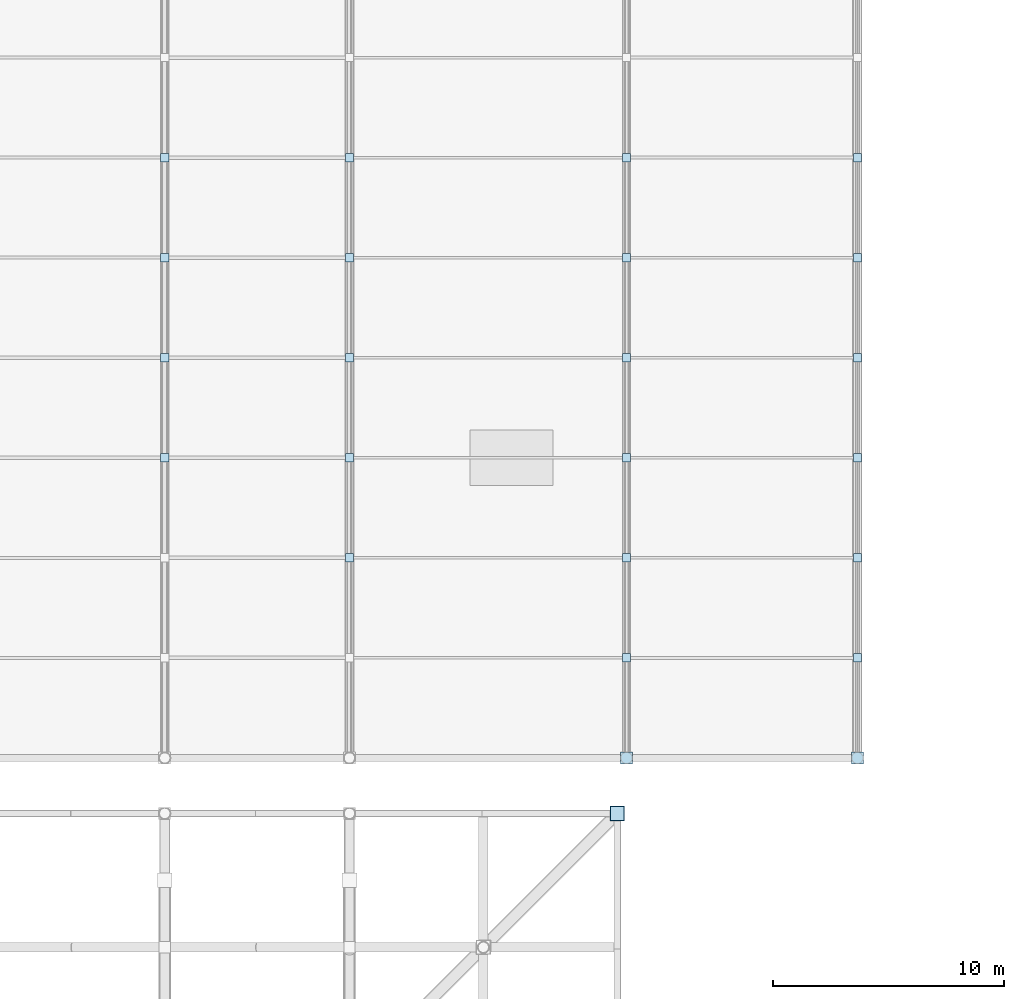
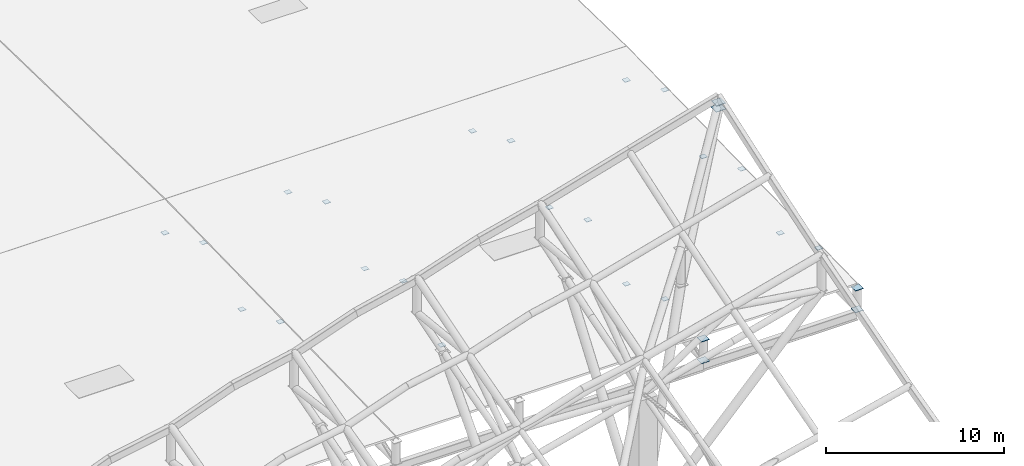
# One storey, part 64 of 75: 27 plates.
"""IFC4 building model written with IfcOpenShell, lengths in metres."""

import ifcopenshell
import ifcopenshell.guid

model = None  # the IFC model being written
_history = None  # IfcOwnerHistory: only IFC2X3 demands one
_inside = {}  # id of a spatial element -> (the spatial element, [elements in it])
_under = {}  # id of a project, library or spatial element -> (it, [spatial elements below it])
_declared = {}  # id of a project -> (the project, [libraries it declares])
_typed = {}  # id of a type object -> (the type object, [elements of that type])
_made_of = {}  # id of a material, layer set ... -> (it, [elements and type objects made of it])


def new_model(schema):
    """Start an empty IFC model of exactly this schema.

    Asked for "IFC4X3", IfcOpenShell would pick the latest addendum, in which some entities
    have other attributes; the version numbers below select the first issue.
    IFC2X3 requires an IfcOwnerHistory on every rooted entity: one is made here for all.
    """
    global model, _history
    if schema == "IFC4X3":
        model = ifcopenshell.file(schema_version=(4, 3, 0, 0))
    else:
        model = ifcopenshell.file(schema=schema)
    _inside.clear()
    _under.clear()
    _declared.clear()
    _typed.clear()
    _made_of.clear()
    _history = None
    if model.schema == "IFC2X3":
        org = make("IfcOrganization", Name="unknown")
        user = make(
            "IfcPersonAndOrganization",
            ThePerson=make("IfcPerson", FamilyName="unknown"),
            TheOrganization=org,
        )
        app = make(
            "IfcApplication",
            ApplicationDeveloper=org,
            Version="unknown",
            ApplicationFullName="unknown",
            ApplicationIdentifier="unknown",
        )
        _history = make(
            "IfcOwnerHistory",
            OwningUser=user,
            OwningApplication=app,
            ChangeAction="ADDED",
            CreationDate=0,
        )
    return model


def make(cls, **values):
    """One entity of the class cls with the attributes given. An attribute that is None is left unset."""
    return model.create_entity(
        cls, **{name: value for name, value in values.items() if value is not None}
    )


def rooted(cls, **values):
    """An entity with a GlobalId (a new one), such as an element, a storey or a relation."""
    return make(cls, GlobalId=ifcopenshell.guid.new(), OwnerHistory=_history, **values)


def si_unit(unit_type, name, prefix=None):
    """IfcSIUnit, for example si_unit("LENGTHUNIT", "METRE", prefix="MILLI")."""
    return make("IfcSIUnit", UnitType=unit_type, Prefix=prefix, Name=name)


def assignment(units):
    """IfcUnitAssignment: the units of a project."""
    return None if units is None else make("IfcUnitAssignment", Units=units)


def point(xyz):
    """IfcCartesianPoint."""
    return None if xyz is None else make("IfcCartesianPoint", Coordinates=xyz)


def direction(xyz):
    """IfcDirection."""
    return None if xyz is None else make("IfcDirection", DirectionRatios=xyz)


def frame(location, z_axis=None, x_axis=None):
    """IfcAxis2Placement3D, a coordinate frame: its origin and axes. An axis left out is left unset."""
    return make(
        "IfcAxis2Placement3D",
        Location=point(location),
        Axis=direction(z_axis),
        RefDirection=direction(x_axis),
    )


def frame_2d(location, x_axis=None):
    """IfcAxis2Placement2D, a coordinate frame in the plane: its origin and x axis."""
    return make(
        "IfcAxis2Placement2D", Location=point(location), RefDirection=direction(x_axis)
    )


def origin():
    """The frame at (0, 0, 0) with its axes left unset."""
    return frame((0.0, 0.0, 0.0))


def origin_2d():
    """The frame at (0, 0) in the plane with its x axis left unset."""
    return frame_2d((0.0, 0.0))


def place(relative_to, where):
    """IfcLocalPlacement: puts the frame where relative to a parent placement (None: the world)."""
    return make(
        "IfcLocalPlacement", PlacementRelTo=relative_to, RelativePlacement=where
    )


def context(
    kind, dimensions, precision=None, world=None, true_north=None, identifier=None
):
    """IfcGeometricRepresentationContext, for example the 3D "Model" context."""
    return make(
        "IfcGeometricRepresentationContext",
        ContextIdentifier=identifier,
        ContextType=kind,
        CoordinateSpaceDimension=dimensions,
        Precision=precision,
        WorldCoordinateSystem=world,
        TrueNorth=true_north,
    )


def subcontext(parent, identifier, kind, view, scale=None):
    """IfcGeometricRepresentationSubContext, for example "Body" below "Model"."""
    return make(
        "IfcGeometricRepresentationSubContext",
        ContextIdentifier=identifier,
        ContextType=kind,
        ParentContext=parent,
        TargetScale=scale,
        TargetView=view,
    )


def project(units=None, contexts=None):
    """IfcProject with its units and contexts."""
    return rooted(
        "IfcProject",
        Name="project",
        RepresentationContexts=contexts,
        UnitsInContext=assignment(units),
    )


def spatial(cls, under=None, at=None, **own):
    """A site, building, storey or space (cls), placed at a placement, below another one or the project."""
    s = rooted(cls, ObjectPlacement=at, **own)
    if under is not None:
        _under.setdefault(under.id(), (under, []))[1].append(s)
    return s


def profile(cls, at=None, kind="AREA", **sizes):
    """A parametric profile (cls). Its sizes go by their IFC names, for example OverallWidth=200.0."""
    return make(cls, ProfileType=kind, Position=at, **sizes)


def rectangle(**sizes):
    """IfcRectangleProfileDef."""
    return profile("IfcRectangleProfileDef", **sizes)


def extrude(swept, where, along, depth):
    """IfcExtrudedAreaSolid: the profile swept, set in the frame where, extruded along a direction by depth."""
    return make(
        "IfcExtrudedAreaSolid",
        SweptArea=swept,
        Position=where,
        ExtrudedDirection=direction(along),
        Depth=depth,
    )


def shape(context_of_items, identifier, shape_type, items):
    """IfcShapeRepresentation: the items that make up one representation, for example the "Body"."""
    return make(
        "IfcShapeRepresentation",
        ContextOfItems=context_of_items,
        RepresentationIdentifier=identifier,
        RepresentationType=shape_type,
        Items=items,
    )


def material(Name=None, Category=None):
    """IfcMaterial."""
    return make("IfcMaterial", Name=Name, Category=Category)


def layer(
    of_material, thickness, ventilated=None, Name=None, Category=None, Priority=None
):
    """IfcMaterialLayer: one layer of a wall or slab, of a material (None: an air gap)."""
    return make(
        "IfcMaterialLayer",
        Material=of_material,
        LayerThickness=thickness,
        IsVentilated=ventilated,
        Name=Name,
        Category=Category,
        Priority=Priority,
    )


def layer_set(layers, Name=None):
    """IfcMaterialLayerSet."""
    return make("IfcMaterialLayerSet", MaterialLayers=layers, LayerSetName=Name)


def made_of(thing, what):
    """Note that an element or type object is made of a material, layer set ...; save() writes the relation."""
    if what is not None:
        _made_of.setdefault(what.id(), (what, []))[1].append(thing)
    return thing


def type_object(cls, material=None, **own):
    """A type object (cls), such as IfcWallType, which elements share."""
    return made_of(rooted(cls, **own), material)


def element(
    cls,
    number,
    at=None,
    inside=None,
    cuts=None,
    type_object=None,
    material=None,
    context=None,
    identifier="Body",
    shape_type=None,
    held_by="IfcProductDefinitionShape",
    body=None,
    shapes=None,
    **own,
):
    """One element of the class cls, such as IfcWall. Its Tag is "e" and its number.

    at: its placement. inside: the storey or other place that contains it. cuts: it is an
    opening in that element (IfcRelVoidsElement). A single representation is given by context,
    identifier, shape_type and body (its items); several are given by shapes. held_by: the class
    of the entity that holds the representations. save() writes the other relations.
    """
    e = rooted(cls, Tag="e%d" % number, ObjectPlacement=at, **own)
    if body is not None:
        shapes = [shape(context, identifier, shape_type, body)]
    if shapes is not None:
        e.Representation = make(held_by, Representations=shapes)
    if inside is not None:
        _inside.setdefault(inside.id(), (inside, []))[1].append(e)
    if cuts is not None:
        rooted(
            "IfcRelVoidsElement", RelatingBuildingElement=cuts, RelatedOpeningElement=e
        )
    if type_object is not None:
        _typed.setdefault(type_object.id(), (type_object, []))[1].append(e)
    return made_of(e, material)


def aggregate(whole, parts):
    """IfcRelAggregates: a whole, such as a stair, and the parts it consists of."""
    return rooted("IfcRelAggregates", RelatingObject=whole, RelatedObjects=parts)


def save(model, path):
    """Write the relations noted so far, then the file.

    IfcRelAggregates (storeys below a building ...), IfcRelContainedInSpatialStructure (elements
    in a storey), IfcRelDefinesByType, IfcRelAssociatesMaterial and IfcRelDeclares: one each for
    every whole, place, type object, material and project.
    """
    for whole, parts in _under.values():
        aggregate(whole, parts)
    for where, things in _inside.values():
        rooted(
            "IfcRelContainedInSpatialStructure",
            RelatedElements=things,
            RelatingStructure=where,
        )
    for kind, things in _typed.values():
        rooted("IfcRelDefinesByType", RelatedObjects=things, RelatingType=kind)
    for what, things in _made_of.values():
        rooted("IfcRelAssociatesMaterial", RelatedObjects=things, RelatingMaterial=what)
    for by, libraries in _declared.values():
        rooted("IfcRelDeclares", RelatingContext=by, RelatedDefinitions=libraries)
    model.write(path)


model = new_model("IFC4")

# Units and contexts
model_context = context("Model", 3, precision=1e-05, world=origin(), true_north=direction((0.0, 1.0)))
body_context = subcontext(model_context, "Body", "Model", "MODEL_VIEW")
ifc_project = project(units=[si_unit("LENGTHUNIT", "METRE"), si_unit("AREAUNIT", "SQUARE_METRE"), si_unit("VOLUMEUNIT", "CUBIC_METRE"), si_unit("PLANEANGLEUNIT", "RADIAN"), si_unit("MASSUNIT", "GRAM", prefix="KILO")], contexts=[model_context])

# Site, building, storey
site_placement = place(None, origin())
site = spatial("IfcSite", under=ifc_project, at=site_placement, CompositionType="ELEMENT")
building_placement = place(site_placement, origin())
building = spatial("IfcBuilding", under=site, at=building_placement, Name="Khorjan Park Terminus", CompositionType="ELEMENT")
storey_placement = place(building_placement, frame((0.0, 0.0, 16.2)))
storey = spatial("IfcBuildingStorey", under=building, at=storey_placement, Name="L03", CompositionType="ELEMENT", Elevation=16.2)

# Plates
ifc_material = material(Name="Steel S355", Category="steel")
ifc_layer_1 = layer(ifc_material, 0.022)
ifc_layer_set_1 = layer_set([ifc_layer_1], Name="Steel S355")
plate_type_1 = type_object("IfcPlateType", Name="PT-GUS-22", PredefinedType="SHEET", material=ifc_layer_set_1)
for number, where, z_axis, x_axis, name in (
    (1, (128.0, 115.0, -0.836), (0.0, 0.0, 1.0), (1.0, 0.0, 0.0), "Steel truss node cap plate NP-22 (RC2-GUS-END-0168)"),
    (2, (128.0, 119.3333, -2.611), (0.0, 0.0, 1.0), (1.0, 0.0, 0.0), "Steel truss node cap plate NP-22 (RC2-GUS-END-0169)"),
    (3, (128.0, 123.6667, -0.6527), (0.0, 0.0, 1.0), (1.0, 0.0, 0.0), "Steel truss node cap plate NP-22 (RC2-GUS-END-0170)"),
    (4, (128.0, 128.0, -2.611), (0.0, 0.0, 1.0), (1.0, 0.0, 0.0), "Steel truss node cap plate NP-22 (RC2-GUS-END-0171)"),
    (5, (136.0, 110.6667, -2.611), (0.0, 0.0, 1.0), (1.0, 0.0, 0.0), "Steel truss node cap plate NP-22 (RC2-GUS-END-0178)"),
    (6, (136.0, 115.0, -0.836), (0.0, 0.0, 1.0), (1.0, 0.0, 0.0), "Steel truss node cap plate NP-22 (RC2-GUS-END-0179)"),
    (7, (136.0, 119.3333, -2.611), (0.0, 0.0, 1.0), (1.0, 0.0, 0.0), "Steel truss node cap plate NP-22 (RC2-GUS-END-0180)"),
    (8, (136.0, 123.6667, -0.6527), (0.0, 0.0, 1.0), (1.0, 0.0, 0.0), "Steel truss node cap plate NP-22 (RC2-GUS-END-0181)"),
    (9, (136.0, 128.0, -2.611), (0.0, 0.0, 1.0), (1.0, 0.0, 0.0), "Steel truss node cap plate NP-22 (RC2-GUS-END-0182)"),
    (10, (148.0, 106.3333, -1.0193), (0.0, 0.0, 1.0), (1.0, 0.0, 0.0), "Steel truss node cap plate NP-22 (RC2-GUS-END-0188)"),
    (11, (148.0, 110.6667, -2.611), (0.0, 0.0, 1.0), (1.0, 0.0, 0.0), "Steel truss node cap plate NP-22 (RC2-GUS-END-0189)"),
    (12, (148.0, 115.0, -0.836), (0.0, 0.0, 1.0), (1.0, 0.0, 0.0), "Steel truss node cap plate NP-22 (RC2-GUS-END-0190)"),
    (13, (148.0, 119.3333, -2.611), (0.0, 0.0, 1.0), (1.0, 0.0, 0.0), "Steel truss node cap plate NP-22 (RC2-GUS-END-0191)"),
    (14, (148.0, 123.6667, -0.6527), (0.0, 0.0, 1.0), (1.0, 0.0, 0.0), "Steel truss node cap plate NP-22 (RC2-GUS-END-0192)"),
    (15, (148.0, 128.0, -2.611), (0.0, 0.0, 1.0), (1.0, 0.0, 0.0), "Steel truss node cap plate NP-22 (RC2-GUS-END-0193)"),
    (16, (158.0, 106.3333, -1.0193), (0.0, 0.0, 1.0), (1.0, 0.0, 0.0), "Steel truss node cap plate NP-22 (RC2-GUS-END-0199)"),
    (17, (158.0, 110.6667, -2.611), (0.0, 0.0, 1.0), (1.0, 0.0, 0.0), "Steel truss node cap plate NP-22 (RC2-GUS-END-0200)"),
    (18, (158.0, 115.0, -0.836), (0.0, 0.0, 1.0), (1.0, 0.0, 0.0), "Steel truss node cap plate NP-22 (RC2-GUS-END-0201)"),
    (19, (158.0, 119.3333, -2.611), (0.0, 0.0, 1.0), (1.0, 0.0, 0.0), "Steel truss node cap plate NP-22 (RC2-GUS-END-0202)"),
    (20, (158.0, 123.6667, -0.6527), (0.0, 0.0, 1.0), (1.0, 0.0, 0.0), "Steel truss node cap plate NP-22 (RC2-GUS-END-0203)"),
    (21, (158.0, 128.0, -2.611), (0.0, 0.0, 1.0), (1.0, 0.0, 0.0), "Steel truss node cap plate NP-22 (RC2-GUS-END-0204)"),
):
    element("IfcPlate", number, at=place(storey_placement, frame(where, z_axis=z_axis, x_axis=x_axis)), inside=storey, type_object=plate_type_1, Name=name, PredefinedType="SHEET", context=body_context, shape_type="SweptSolid", body=[
        extrude(rectangle(XDim=0.36, YDim=0.36, at=origin_2d()), origin(), (0.0, 0.0, 1.0), 0.022),
    ])
ifc_layer_2 = layer(ifc_material, 0.025)
ifc_layer_set_2 = layer_set([ifc_layer_2], Name="Steel S355")
plate_type_2 = type_object("IfcPlateType", Name="PT-GUSE-25", PredefinedType="SHEET", material=ifc_layer_set_2)
for number, where, z_axis, x_axis, name in (
    (22, (148.0, 102.0, -2.6125), (0.0, 0.0, 1.0), (1.0, 0.0, 0.0), "Steel truss node cap plate NPE-25 (RC2-NP-V1-T18-SB)"),
    (23, (158.0, 102.0, -2.6125), (0.0, 0.0, 1.0), (1.0, 0.0, 0.0), "Steel truss node cap plate NPE-25 (RC2-NP-V1-T19-SB)"),
):
    element("IfcPlate", number, at=place(storey_placement, frame(where, z_axis=z_axis, x_axis=x_axis)), inside=storey, type_object=plate_type_2, Name=name, PredefinedType="SHEET", context=body_context, shape_type="SweptSolid", body=[
        extrude(rectangle(XDim=0.52, YDim=0.52, at=origin_2d()), origin(), (0.0, 0.0, 1.0), 0.025),
    ])
plate_1_placement = place(storey_placement, frame((147.6, 99.6, 16.3375), z_axis=(0.0, 0.0, 1.0), x_axis=(1.0, 0.0, 0.0)))
element("IfcPlate", 24, at=plate_1_placement, inside=storey, type_object=plate_type_2, Name="Steel truss node cap plate NPE-25 (RC2-GUS-END-0486)", PredefinedType="SHEET", context=body_context, shape_type="SweptSolid", body=[
    extrude(rectangle(XDim=0.64, YDim=0.64, at=origin_2d()), origin(), (0.0, 0.0, 1.0), 0.025),
])
ifc_layer_3 = layer(ifc_material, 0.03)
ifc_layer_set_3 = layer_set([ifc_layer_3], Name="Steel S355")
plate_type_3 = type_object("IfcPlateType", Name="PT-GUSE-30", PredefinedType="SHEET", material=ifc_layer_set_3)
for number, where, z_axis, x_axis, name in (
    (25, (148.0, 102.0, -1.115), (0.0, 0.0, 1.0), (1.0, 0.0, 0.0), "Steel truss node cap plate NPE-30 (RC2-NP-V1-T18-ST)"),
    (26, (158.0, 102.0, -1.115), (0.0, 0.0, 1.0), (1.0, 0.0, 0.0), "Steel truss node cap plate NPE-30 (RC2-NP-V1-T19-ST)"),
):
    element("IfcPlate", number, at=place(storey_placement, frame(where, z_axis=z_axis, x_axis=x_axis)), inside=storey, type_object=plate_type_3, Name=name, PredefinedType="SHEET", context=body_context, shape_type="SweptSolid", body=[
        extrude(rectangle(XDim=0.52, YDim=0.52, at=origin_2d()), origin(), (0.0, 0.0, 1.0), 0.03),
    ])
ifc_layer_4 = layer(ifc_material, 0.035)
ifc_layer_set_4 = layer_set([ifc_layer_4], Name="Steel S355")
plate_type_4 = type_object("IfcPlateType", Name="PT-GUSE-35", PredefinedType="SHEET", material=ifc_layer_set_4)
plate_2_placement = place(storey_placement, frame((147.6, 99.6, 16.7325), z_axis=(0.0, 0.0, 1.0), x_axis=(1.0, 0.0, 0.0)))
element("IfcPlate", 27, at=plate_2_placement, inside=storey, type_object=plate_type_4, Name="Steel truss node cap plate NPE-35 (RC2-NP-UCRN-NE)", PredefinedType="SHEET", context=body_context, shape_type="SweptSolid", body=[
    extrude(rectangle(XDim=0.6, YDim=0.6, at=origin_2d()), origin(), (0.0, 0.0, 1.0), 0.035),
])

save(model, "model.ifc")
